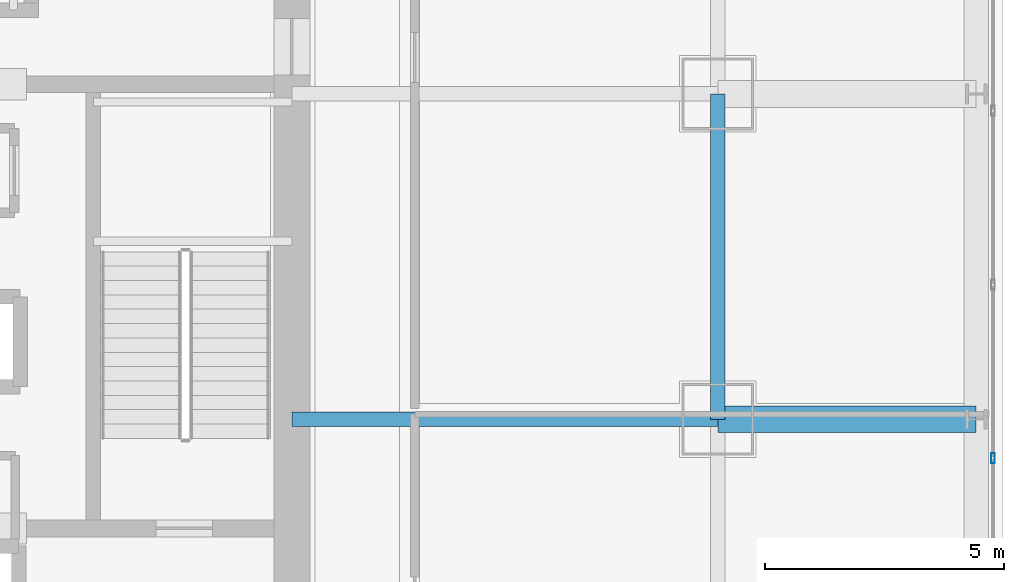
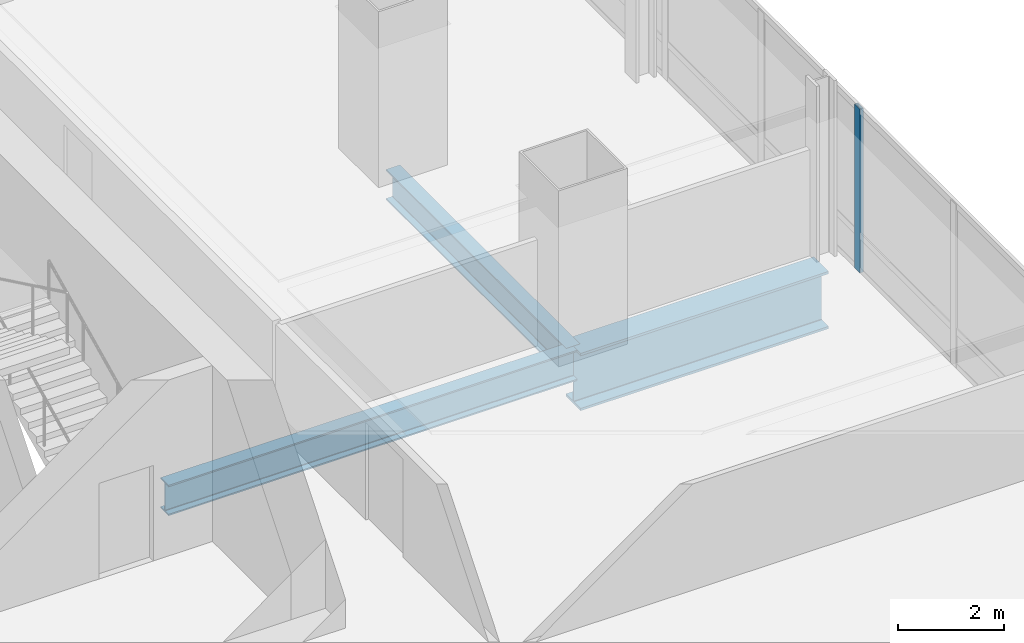
# One storey, part 15 of 42: 3 beams, 1 member, 1 element without a shape of its own.
"""IFC4 building model written with IfcOpenShell, lengths in metres."""

from ifc_helpers import new_model, si_unit, direction, frame, origin, origin_2d, place, context, subcontext, project, spatial, hollow_rectangle, i_section, extrude, material, material_profile, profile_set, type_object, element, aggregate, save


model = new_model("IFC4")

# Units and contexts
model_context = context("Model", 3, precision=1e-05, world=origin(), true_north=direction((0.0, 1.0)))
body_context = subcontext(model_context, "Body", "Model", "MODEL_VIEW")
ifc_project = project(units=[si_unit("LENGTHUNIT", "METRE"), si_unit("AREAUNIT", "SQUARE_METRE"), si_unit("VOLUMEUNIT", "CUBIC_METRE"), si_unit("PLANEANGLEUNIT", "RADIAN"), si_unit("MASSUNIT", "GRAM", prefix="KILO")], contexts=[model_context])

# Site, building, storey
site_placement = place(None, origin())
site = spatial("IfcSite", under=ifc_project, at=site_placement, CompositionType="ELEMENT")
building_placement = place(site_placement, origin())
building = spatial("IfcBuilding", under=site, at=building_placement, Name="Punatoya Terracotta Tower", CompositionType="ELEMENT")
storey_placement = place(building_placement, frame((0.0, 0.0, 88.949951171875)))
storey = spatial("IfcBuildingStorey", under=building, at=storey_placement, Name="L20", CompositionType="ELEMENT", Elevation=88.949951171875)

# Beams
ifc_material_1 = material(Name="Steel S355", Category="steel")
ifc_material_profile_1 = material_profile(ifc_material_1, i_section(OverallWidth=0.300048828125, OverallDepth=0.699951171875, WebThickness=0.01708984375, FlangeThickness=0.031982421875, FilletRadius=0.01806640625, at=origin_2d()))
ifc_profile_set_1 = profile_set([ifc_material_profile_1], Name="Steel S355")
beam_type_1 = type_object("IfcBeamType", Name="BM-PRI-700", PredefinedType="BEAM", material=ifc_profile_set_1)
beam_1_placement = place(storey_placement, frame((19.10009765625, -3.39990234375, -0.58984375), z_axis=(0.0, 1.0, 0.0), x_axis=(-1.0, 0.0, 0.0)))
element("IfcBeam", 1, at=beam_1_placement, inside=storey, type_object=beam_type_1, Name="BM-L20-RG-E2", PredefinedType="BEAM", context=body_context, shape_type="SweptSolid", body=[
    extrude(i_section(OverallWidth=0.300048828125, OverallDepth=0.699951171875, WebThickness=0.01708984375, FlangeThickness=0.031982421875, FilletRadius=0.01806640625, at=origin_2d()), origin(), (0.0, 0.0, 1.0), 6.7998046875),
])
beam_2_placement = place(storey_placement, frame((10.199951171875, -3.39990234375, -0.58984375), z_axis=(1.0, 0.0, 0.0), x_axis=(0.0, 1.0, 0.0)))
element("IfcBeam", 2, at=beam_2_placement, inside=storey, type_object=beam_type_1, Name="BM-L20-PR-ED", PredefinedType="BEAM", context=body_context, shape_type="SweptSolid", body=[
    extrude(i_section(OverallWidth=0.300048828125, OverallDepth=0.699951171875, WebThickness=0.01708984375, FlangeThickness=0.031982421875, FilletRadius=0.01806640625, at=origin_2d()), origin(), (0.0, 0.0, 1.0), 8.900146484375),
])
ifc_material_2 = material(Name="Steel S460", Category="steel")
ifc_material_profile_2 = material_profile(ifc_material_2, i_section(OverallWidth=0.56005859375, OverallDepth=1.320068359375, WebThickness=0.035888671875, FlangeThickness=0.054931640625, FilletRadius=0.01806640625, at=origin_2d()))
ifc_profile_set_2 = profile_set([ifc_material_profile_2], Name="Steel S460")
beam_type_2 = type_object("IfcBeamType", Name="BM-TG-BLK", PredefinedType="BEAM", material=ifc_profile_set_2)
beam_3_placement = place(storey_placement, frame((19.10009765625, -3.39990234375, -0.89990234375), z_axis=(1.0, 0.0, 0.0), x_axis=(0.0, 1.0, 0.0)))
element("IfcBeam", 3, at=beam_3_placement, inside=storey, type_object=beam_type_2, Name="BM-L20-CANT-E2", PredefinedType="BEAM", context=body_context, shape_type="SweptSolid", body=[
    extrude(i_section(OverallWidth=0.56005859375, OverallDepth=1.320068359375, WebThickness=0.035888671875, FlangeThickness=0.054931640625, FilletRadius=0.01806640625, at=origin_2d()), origin(), (0.0, 0.0, 1.0), 5.39990234375),
])

# Curtain wall, member
ifc_material_3 = material(Name="Aluminium 6063-T6 + Double Low-E Glass", Category="aluminium")
curtain_wall_type = type_object("IfcCurtainWallType", Name="CW-M1", PredefinedType="NOTDEFINED", material=ifc_material_3)
curtain_wall_placement = place(storey_placement, origin())
curtain_wall = element("IfcCurtainWall", 4, at=curtain_wall_placement, inside=storey, type_object=curtain_wall_type, Name="L20 Curtain Wall CW-L20-E05-1", PredefinedType="NOTDEFINED")
ifc_material_4 = material(Name="Aluminium 6063-T6", Category="aluminium")
ifc_material_profile_3 = material_profile(ifc_material_4, hollow_rectangle(XDim=0.074951171875, YDim=0.2099609375, WallThickness=0.00439453125, at=origin_2d()))
ifc_profile_set_3 = profile_set([ifc_material_profile_3], Name="Aluminium 6063-T6")
member_type = type_object("IfcMemberType", Name="CW-MUL-M1", PredefinedType="MULLION", material=ifc_profile_set_3)
member_placement = place(storey_placement, frame((24.85009765625, -4.21435546875, 0.0), z_axis=(0.0, 0.0, 1.0), x_axis=(1.0, 0.0, 0.0)))
member = element("IfcMember", 5, at=member_placement, type_object=member_type, Name="CW-L20-E05-1 Mullion 03", PredefinedType="MULLION", context=body_context, shape_type="SweptSolid", body=[
    extrude(hollow_rectangle(XDim=0.074951171875, YDim=0.2099609375, WallThickness=0.00439453125, at=origin_2d()), origin(), (0.0, 0.0, 1.0), 3.77001953125),
])
aggregate(curtain_wall, [member])

save(model, "model.ifc")
